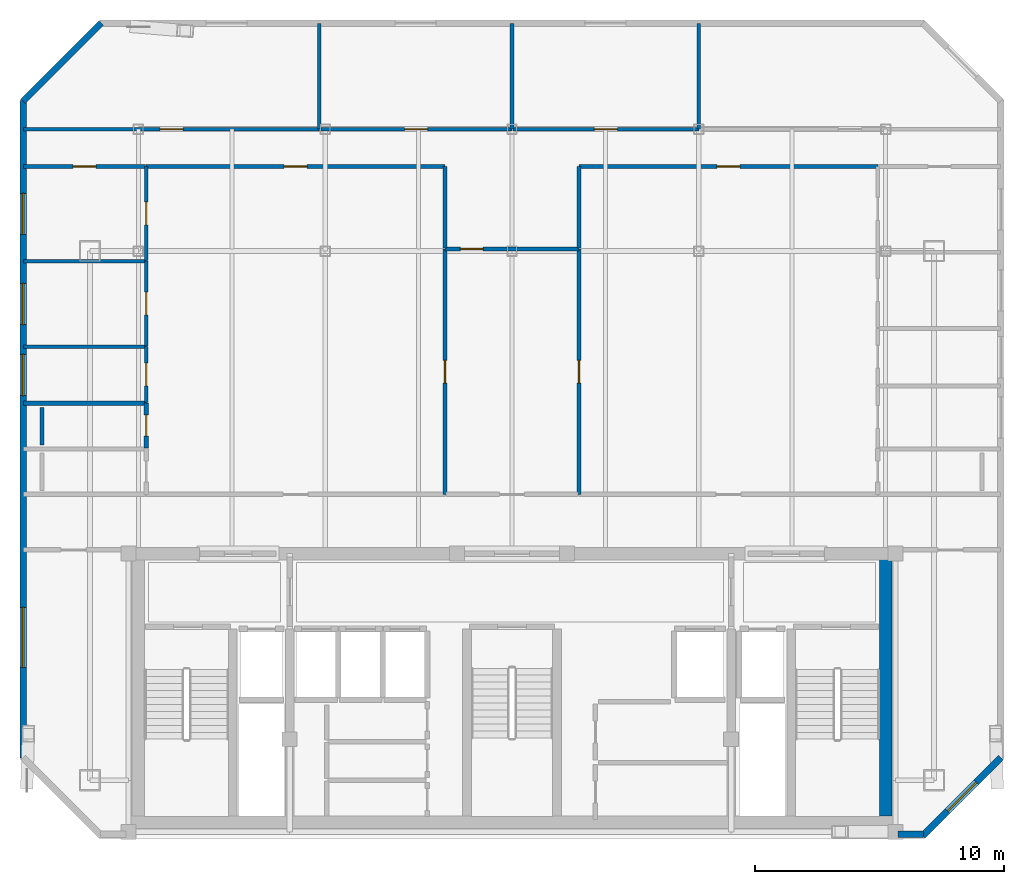
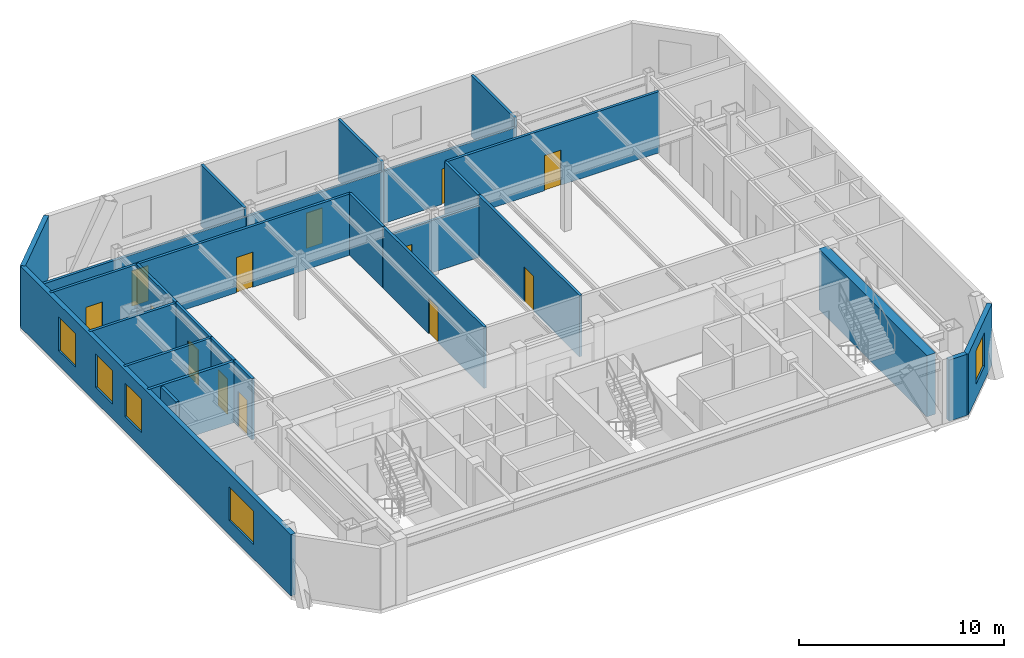
# One storey, part 4 of 7: 27 walls, 13 doors, 5 windows, 18 openings.
"""IFC4 building model written with IfcOpenShell, lengths in metres."""

import ifcopenshell
import ifcopenshell.guid

model = None  # the IFC model being written
_history = None  # IfcOwnerHistory: only IFC2X3 demands one
_inside = {}  # id of a spatial element -> (the spatial element, [elements in it])
_under = {}  # id of a project, library or spatial element -> (it, [spatial elements below it])
_declared = {}  # id of a project -> (the project, [libraries it declares])
_typed = {}  # id of a type object -> (the type object, [elements of that type])
_made_of = {}  # id of a material, layer set ... -> (it, [elements and type objects made of it])


def new_model(schema):
    """Start an empty IFC model of exactly this schema.

    Asked for "IFC4X3", IfcOpenShell would pick the latest addendum, in which some entities
    have other attributes; the version numbers below select the first issue.
    IFC2X3 requires an IfcOwnerHistory on every rooted entity: one is made here for all.
    """
    global model, _history
    if schema == "IFC4X3":
        model = ifcopenshell.file(schema_version=(4, 3, 0, 0))
    else:
        model = ifcopenshell.file(schema=schema)
    _inside.clear()
    _under.clear()
    _declared.clear()
    _typed.clear()
    _made_of.clear()
    _history = None
    if model.schema == "IFC2X3":
        org = make("IfcOrganization", Name="unknown")
        user = make(
            "IfcPersonAndOrganization",
            ThePerson=make("IfcPerson", FamilyName="unknown"),
            TheOrganization=org,
        )
        app = make(
            "IfcApplication",
            ApplicationDeveloper=org,
            Version="unknown",
            ApplicationFullName="unknown",
            ApplicationIdentifier="unknown",
        )
        _history = make(
            "IfcOwnerHistory",
            OwningUser=user,
            OwningApplication=app,
            ChangeAction="ADDED",
            CreationDate=0,
        )
    return model


def make(cls, **values):
    """One entity of the class cls with the attributes given. An attribute that is None is left unset."""
    return model.create_entity(
        cls, **{name: value for name, value in values.items() if value is not None}
    )


def rooted(cls, **values):
    """An entity with a GlobalId (a new one), such as an element, a storey or a relation."""
    return make(cls, GlobalId=ifcopenshell.guid.new(), OwnerHistory=_history, **values)


def si_unit(unit_type, name, prefix=None):
    """IfcSIUnit, for example si_unit("LENGTHUNIT", "METRE", prefix="MILLI")."""
    return make("IfcSIUnit", UnitType=unit_type, Prefix=prefix, Name=name)


def assignment(units):
    """IfcUnitAssignment: the units of a project."""
    return None if units is None else make("IfcUnitAssignment", Units=units)


def point(xyz):
    """IfcCartesianPoint."""
    return None if xyz is None else make("IfcCartesianPoint", Coordinates=xyz)


def direction(xyz):
    """IfcDirection."""
    return None if xyz is None else make("IfcDirection", DirectionRatios=xyz)


def frame(location, z_axis=None, x_axis=None):
    """IfcAxis2Placement3D, a coordinate frame: its origin and axes. An axis left out is left unset."""
    return make(
        "IfcAxis2Placement3D",
        Location=point(location),
        Axis=direction(z_axis),
        RefDirection=direction(x_axis),
    )


def frame_2d(location, x_axis=None):
    """IfcAxis2Placement2D, a coordinate frame in the plane: its origin and x axis."""
    return make(
        "IfcAxis2Placement2D", Location=point(location), RefDirection=direction(x_axis)
    )


def origin():
    """The frame at (0, 0, 0) with its axes left unset."""
    return frame((0.0, 0.0, 0.0))


def place(relative_to, where):
    """IfcLocalPlacement: puts the frame where relative to a parent placement (None: the world)."""
    return make(
        "IfcLocalPlacement", PlacementRelTo=relative_to, RelativePlacement=where
    )


def context(
    kind, dimensions, precision=None, world=None, true_north=None, identifier=None
):
    """IfcGeometricRepresentationContext, for example the 3D "Model" context."""
    return make(
        "IfcGeometricRepresentationContext",
        ContextIdentifier=identifier,
        ContextType=kind,
        CoordinateSpaceDimension=dimensions,
        Precision=precision,
        WorldCoordinateSystem=world,
        TrueNorth=true_north,
    )


def subcontext(parent, identifier, kind, view, scale=None):
    """IfcGeometricRepresentationSubContext, for example "Body" below "Model"."""
    return make(
        "IfcGeometricRepresentationSubContext",
        ContextIdentifier=identifier,
        ContextType=kind,
        ParentContext=parent,
        TargetScale=scale,
        TargetView=view,
    )


def project(units=None, contexts=None):
    """IfcProject with its units and contexts."""
    return rooted(
        "IfcProject",
        Name="project",
        RepresentationContexts=contexts,
        UnitsInContext=assignment(units),
    )


def spatial(cls, under=None, at=None, **own):
    """A site, building, storey or space (cls), placed at a placement, below another one or the project."""
    s = rooted(cls, ObjectPlacement=at, **own)
    if under is not None:
        _under.setdefault(under.id(), (under, []))[1].append(s)
    return s


def profile(cls, at=None, kind="AREA", **sizes):
    """A parametric profile (cls). Its sizes go by their IFC names, for example OverallWidth=200.0."""
    return make(cls, ProfileType=kind, Position=at, **sizes)


def rectangle(**sizes):
    """IfcRectangleProfileDef."""
    return profile("IfcRectangleProfileDef", **sizes)


def extrude(swept, where, along, depth):
    """IfcExtrudedAreaSolid: the profile swept, set in the frame where, extruded along a direction by depth."""
    return make(
        "IfcExtrudedAreaSolid",
        SweptArea=swept,
        Position=where,
        ExtrudedDirection=direction(along),
        Depth=depth,
    )


def shape(context_of_items, identifier, shape_type, items):
    """IfcShapeRepresentation: the items that make up one representation, for example the "Body"."""
    return make(
        "IfcShapeRepresentation",
        ContextOfItems=context_of_items,
        RepresentationIdentifier=identifier,
        RepresentationType=shape_type,
        Items=items,
    )


def material(Name=None, Category=None):
    """IfcMaterial."""
    return make("IfcMaterial", Name=Name, Category=Category)


def layer(
    of_material, thickness, ventilated=None, Name=None, Category=None, Priority=None
):
    """IfcMaterialLayer: one layer of a wall or slab, of a material (None: an air gap)."""
    return make(
        "IfcMaterialLayer",
        Material=of_material,
        LayerThickness=thickness,
        IsVentilated=ventilated,
        Name=Name,
        Category=Category,
        Priority=Priority,
    )


def layer_set(layers, Name=None):
    """IfcMaterialLayerSet."""
    return make("IfcMaterialLayerSet", MaterialLayers=layers, LayerSetName=Name)


def made_of(thing, what):
    """Note that an element or type object is made of a material, layer set ...; save() writes the relation."""
    if what is not None:
        _made_of.setdefault(what.id(), (what, []))[1].append(thing)
    return thing


def type_object(cls, material=None, **own):
    """A type object (cls), such as IfcWallType, which elements share."""
    return made_of(rooted(cls, **own), material)


def element(
    cls,
    number,
    at=None,
    inside=None,
    cuts=None,
    type_object=None,
    material=None,
    context=None,
    identifier="Body",
    shape_type=None,
    held_by="IfcProductDefinitionShape",
    body=None,
    shapes=None,
    **own,
):
    """One element of the class cls, such as IfcWall. Its Tag is "e" and its number.

    at: its placement. inside: the storey or other place that contains it. cuts: it is an
    opening in that element (IfcRelVoidsElement). A single representation is given by context,
    identifier, shape_type and body (its items); several are given by shapes. held_by: the class
    of the entity that holds the representations. save() writes the other relations.
    """
    e = rooted(cls, Tag="e%d" % number, ObjectPlacement=at, **own)
    if body is not None:
        shapes = [shape(context, identifier, shape_type, body)]
    if shapes is not None:
        e.Representation = make(held_by, Representations=shapes)
    if inside is not None:
        _inside.setdefault(inside.id(), (inside, []))[1].append(e)
    if cuts is not None:
        rooted(
            "IfcRelVoidsElement", RelatingBuildingElement=cuts, RelatedOpeningElement=e
        )
    if type_object is not None:
        _typed.setdefault(type_object.id(), (type_object, []))[1].append(e)
    return made_of(e, material)


def fill(opening, filler):
    """IfcRelFillsElement: the door or window that sits in an opening."""
    return rooted(
        "IfcRelFillsElement",
        RelatingOpeningElement=opening,
        RelatedBuildingElement=filler,
    )


def aggregate(whole, parts):
    """IfcRelAggregates: a whole, such as a stair, and the parts it consists of."""
    return rooted("IfcRelAggregates", RelatingObject=whole, RelatedObjects=parts)


def save(model, path):
    """Write the relations noted so far, then the file.

    IfcRelAggregates (storeys below a building ...), IfcRelContainedInSpatialStructure (elements
    in a storey), IfcRelDefinesByType, IfcRelAssociatesMaterial and IfcRelDeclares: one each for
    every whole, place, type object, material and project.
    """
    for whole, parts in _under.values():
        aggregate(whole, parts)
    for where, things in _inside.values():
        rooted(
            "IfcRelContainedInSpatialStructure",
            RelatedElements=things,
            RelatingStructure=where,
        )
    for kind, things in _typed.values():
        rooted("IfcRelDefinesByType", RelatedObjects=things, RelatingType=kind)
    for what, things in _made_of.values():
        rooted("IfcRelAssociatesMaterial", RelatedObjects=things, RelatingMaterial=what)
    for by, libraries in _declared.values():
        rooted("IfcRelDeclares", RelatingContext=by, RelatedDefinitions=libraries)
    model.write(path)


model = new_model("IFC4")

# Units and contexts
model_context = context("Model", 3, precision=1e-05, world=origin(), true_north=direction((0.0, 1.0)))
body_context = subcontext(model_context, "Body", "Model", "MODEL_VIEW")
ifc_project = project(units=[si_unit("LENGTHUNIT", "METRE"), si_unit("AREAUNIT", "SQUARE_METRE"), si_unit("VOLUMEUNIT", "CUBIC_METRE"), si_unit("PLANEANGLEUNIT", "RADIAN"), si_unit("MASSUNIT", "GRAM", prefix="KILO")], contexts=[model_context])

# Site, building, storey
site_placement = place(None, origin())
site = spatial("IfcSite", under=ifc_project, at=site_placement, CompositionType="ELEMENT")
building_placement = place(site_placement, origin())
building = spatial("IfcBuilding", under=site, at=building_placement, Name="Ventersveld Concourse Tower", CompositionType="ELEMENT")
storey_placement = place(building_placement, frame((0.0, 0.0, 316.89990234375)))
storey = spatial("IfcBuildingStorey", under=building, at=storey_placement, Name="L78", CompositionType="ELEMENT", Elevation=316.89990234375)

# Wall
ifc_material_1 = material(Name="Concrete C50/60", Category="concrete")
ifc_layer_1 = layer(ifc_material_1, 0.5)
ifc_layer_set_1 = layer_set([ifc_layer_1], Name="Concrete C50/60")
wall_type_1 = type_object("IfcWallType", Name="WL-CORE-500", PredefinedType="SHEAR", material=ifc_layer_set_1)
wall_1_placement = place(storey_placement, frame((43.75, 0.919921875, 0.0), z_axis=(0.0, 0.0, 1.0), x_axis=(0.0, 1.0, 0.0)))
element("IfcWall", 1, at=wall_1_placement, inside=storey, type_object=wall_type_1, Name="L78 Rear Core East Shear Wall", PredefinedType="SHEAR", context=body_context, shape_type="SweptSolid", body=[
    extrude(rectangle(XDim=10.530029296875, YDim=0.5, at=frame_2d((5.26513671875, 0.0))), origin(), (0.0, 0.0, 1.0), 3.650146484375),
])

# Wall, opening, door
ifc_material_2 = material(Name="Autoclaved aerated masonry blockwork", Category="masonry")
ifc_layer_2 = layer(ifc_material_2, 0.14990234375)
ifc_layer_set_2 = layer_set([ifc_layer_2], Name="Autoclaved aerated masonry blockwork")
wall_type_2 = type_object("IfcWallType", Name="WL-INT-150", PredefinedType="PARTITIONING", material=ifc_layer_set_2)
wall_2_placement = place(storey_placement, frame((26.06005859375, 13.824951171875, 0.0), z_axis=(0.0, 0.0, 1.0), x_axis=(0.0, 1.0, 0.0)))
wall_2 = element("IfcWall", 2, at=wall_2_placement, inside=storey, type_object=wall_type_2, Name="L78 Interior Partition SP-L78-78N1-WGAL1-SP-L78-78N1-FOY", PredefinedType="PARTITIONING", context=body_context, shape_type="SweptSolid", body=[
    extrude(rectangle(XDim=9.866943359375, YDim=0.14990234375, at=frame_2d((4.93359375, 0.0))), origin(), (0.0, 0.0, 1.0), 3.650146484375),
])
opening_1_placement = place(wall_2_placement, frame((4.473388671875, 0.0, 0.0)))
opening_1 = element("IfcOpeningElement", 3, at=opening_1_placement, cuts=wall_2, Name="Opening ID1", PredefinedType="OPENING", context=body_context, shape_type="SweptSolid", body=[
    extrude(rectangle(XDim=0.919921875, YDim=2.10009765625, at=frame_2d((0.4599609375, 1.050048828125))), frame((0.0, 0.0849609375, 0.0), z_axis=(0.0, -1.0, 0.0), x_axis=(1.0, 0.0, 0.0)), (0.0, 0.0, 1.0), 0.169921875),
])
ifc_material_3 = material(Name="Solid-core hardwood veneer timber", Category="wood")
door_type_1 = type_object("IfcDoorType", Name="DR-ROOM-092", OperationType="NOTDEFINED", PredefinedType="DOOR", material=ifc_material_3)
door_1_placement = place(opening_1_placement, origin())
door_1 = element("IfcDoor", 4, at=door_1_placement, inside=storey, type_object=door_type_1, Name="L78 Interior Door SP-L78-78N1-WGAL1 to SP-L78-78N1-FOY (D-L78-3571)", OperationType="SINGLE_SWING_LEFT", OverallHeight=2.10009765625, OverallWidth=0.919921875, PredefinedType="DOOR", context=body_context, shape_type="SweptSolid", body=[
    extrude(rectangle(XDim=0.919921875, YDim=2.10009765625, at=frame_2d((0.4599609375, 1.050048828125))), frame((0.0, 0.02490234375, 0.0), z_axis=(0.0, -1.0, 0.0), x_axis=(1.0, 0.0, 0.0)), (0.0, 0.0, 1.0), 0.050048828125),
])
fill(opening_1, door_1)

wall_3_placement = place(storey_placement, frame((14.05810546875, 27.0, 0.0), z_axis=(0.0, 0.0, 1.0), x_axis=(1.0, 0.0, 0.0)))
wall_3 = element("IfcWall", 5, at=wall_3_placement, inside=storey, type_object=wall_type_2, Name="L78 Interior Partition SP-L78-78N1-WGAL1-SP-L78-78N1-LIV", PredefinedType="PARTITIONING", context=body_context, shape_type="SweptSolid", body=[
    extrude(rectangle(XDim=12.0068359375, YDim=0.14990234375, at=frame_2d((6.00341796875, 0.0))), origin(), (0.0, 0.0, 1.0), 3.650146484375),
])
opening_2_placement = place(wall_3_placement, frame((5.54345703125, 0.0, 0.0)))
opening_2 = element("IfcOpeningElement", 6, at=opening_2_placement, cuts=wall_3, Name="Opening ID1", PredefinedType="OPENING", context=body_context, shape_type="SweptSolid", body=[
    extrude(rectangle(XDim=0.919921875, YDim=2.10009765625, at=frame_2d((0.4599609375, 1.050048828125))), frame((0.0, 0.0849609375, 0.0), z_axis=(0.0, -1.0, 0.0), x_axis=(1.0, 0.0, 0.0)), (0.0, 0.0, 1.0), 0.169921875),
])
door_2_placement = place(opening_2_placement, origin())
door_2 = element("IfcDoor", 7, at=door_2_placement, inside=storey, type_object=door_type_1, Name="L78 Interior Door SP-L78-78N1-WGAL1 to SP-L78-78N1-LIV (D-L78-3572)", OperationType="SINGLE_SWING_RIGHT", OverallHeight=2.10009765625, OverallWidth=0.919921875, PredefinedType="DOOR", context=body_context, shape_type="SweptSolid", body=[
    extrude(rectangle(XDim=0.919921875, YDim=2.10009765625, at=frame_2d((0.4599609375, 1.050048828125))), frame((0.0, 0.02490234375, 0.0), z_axis=(0.0, -1.0, 0.0), x_axis=(1.0, 0.0, 0.0)), (0.0, 0.0, 1.0), 0.050048828125),
])
fill(opening_2, door_2)

# Wall
wall_4_placement = place(storey_placement, frame((26.06005859375, 23.7216796875, 0.0), z_axis=(0.0, 0.0, 1.0), x_axis=(0.0, 1.0, 0.0)))
element("IfcWall", 8, at=wall_4_placement, inside=storey, type_object=wall_type_2, Name="L78 Interior Partition SP-L78-78N1-WGAL1-SP-L78-78N1-LIV", PredefinedType="PARTITIONING", context=body_context, shape_type="SweptSolid", body=[
    extrude(rectangle(XDim=3.283203125, YDim=0.14990234375, at=frame_2d((1.6416015625, 0.0))), origin(), (0.0, 0.0, 1.0), 3.650146484375),
])

# Wall, opening, door
wall_5_placement = place(storey_placement, frame((14.06298828125, 17.52490234375, 0.0), z_axis=(0.0, 0.0, 1.0), x_axis=(0.0, 1.0, 0.0)))
wall_5 = element("IfcWall", 9, at=wall_5_placement, inside=storey, type_object=wall_type_2, Name="L78 Interior Partition SP-L78-78N1-WGAL1-SP-L78-78N1-PANL0", PredefinedType="PARTITIONING", context=body_context, shape_type="SweptSolid", body=[
    extrude(rectangle(XDim=2.242919921875, YDim=0.14990234375, at=frame_2d((1.12158203125, 0.0))), origin(), (0.0, 0.0, 1.0), 3.650146484375),
])
opening_3_placement = place(wall_5_placement, frame((0.661376953125, 0.0, 0.0)))
opening_3 = element("IfcOpeningElement", 10, at=opening_3_placement, cuts=wall_5, Name="Opening ID1", PredefinedType="OPENING", context=body_context, shape_type="SweptSolid", body=[
    extrude(rectangle(XDim=0.919921875, YDim=2.10009765625, at=frame_2d((0.4599609375, 1.050048828125))), frame((0.0, 0.0849609375, 0.0), z_axis=(0.0, -1.0, 0.0), x_axis=(1.0, 0.0, 0.0)), (0.0, 0.0, 1.0), 0.169921875),
])
door_3_placement = place(opening_3_placement, origin())
door_3 = element("IfcDoor", 11, at=door_3_placement, inside=storey, type_object=door_type_1, Name="L78 Interior Door SP-L78-78N1-WGAL1 to SP-L78-78N1-PANL0 (D-L78-3575)", OperationType="SINGLE_SWING_LEFT", OverallHeight=2.10009765625, OverallWidth=0.919921875, PredefinedType="DOOR", context=body_context, shape_type="SweptSolid", body=[
    extrude(rectangle(XDim=0.919921875, YDim=2.10009765625, at=frame_2d((0.4599609375, 1.050048828125))), frame((0.0, 0.02490234375, 0.0), z_axis=(0.0, -1.0, 0.0), x_axis=(1.0, 0.0, 0.0)), (0.0, 0.0, 1.0), 0.050048828125),
])
fill(opening_3, door_3)

wall_6_placement = place(storey_placement, frame((14.06298828125, 19.7978515625, 0.0), z_axis=(0.0, 0.0, 1.0), x_axis=(0.0, 1.0, 0.0)))
wall_6 = element("IfcWall", 12, at=wall_6_placement, inside=storey, type_object=wall_type_2, Name="L78 Interior Partition SP-L78-78N1-WGAL1-SP-L78-78N1-MEDL2", PredefinedType="PARTITIONING", context=body_context, shape_type="SweptSolid", body=[
    extrude(rectangle(XDim=3.398193359375, YDim=0.14990234375, at=frame_2d((1.69921875, 0.0))), origin(), (0.0, 0.0, 1.0), 3.650146484375),
])
opening_4_placement = place(wall_6_placement, frame((1.239013671875, 0.0, 0.0)))
opening_4 = element("IfcOpeningElement", 13, at=opening_4_placement, cuts=wall_6, Name="Opening ID1", PredefinedType="OPENING", context=body_context, shape_type="SweptSolid", body=[
    extrude(rectangle(XDim=0.919921875, YDim=2.10009765625, at=frame_2d((0.4599609375, 1.050048828125))), frame((0.0, 0.0849609375, 0.0), z_axis=(0.0, -1.0, 0.0), x_axis=(1.0, 0.0, 0.0)), (0.0, 0.0, 1.0), 0.169921875),
])
door_4_placement = place(opening_4_placement, origin())
door_4 = element("IfcDoor", 14, at=door_4_placement, inside=storey, type_object=door_type_1, Name="L78 Interior Door SP-L78-78N1-WGAL1 to SP-L78-78N1-MEDL2 (D-L78-3576)", OperationType="SINGLE_SWING_RIGHT", OverallHeight=2.10009765625, OverallWidth=0.919921875, PredefinedType="DOOR", context=body_context, shape_type="SweptSolid", body=[
    extrude(rectangle(XDim=0.919921875, YDim=2.10009765625, at=frame_2d((0.4599609375, 1.050048828125))), frame((0.0, 0.02490234375, 0.0), z_axis=(0.0, -1.0, 0.0), x_axis=(1.0, 0.0, 0.0)), (0.0, 0.0, 1.0), 0.050048828125),
])
fill(opening_4, door_4)

wall_7_placement = place(storey_placement, frame((14.06298828125, 23.22607421875, 0.0), z_axis=(0.0, 0.0, 1.0), x_axis=(0.0, 1.0, 0.0)))
wall_7 = element("IfcWall", 15, at=wall_7_placement, inside=storey, type_object=wall_type_2, Name="L78 Interior Partition SP-L78-78N1-WGAL1-SP-L78-78N1-SEML4", PredefinedType="PARTITIONING", context=body_context, shape_type="SweptSolid", body=[
    extrude(rectangle(XDim=3.77880859375, YDim=0.14990234375, at=frame_2d((1.889404296875, 0.0))), origin(), (0.0, 0.0, 1.0), 3.650146484375),
])
opening_5_placement = place(wall_7_placement, frame((1.429443359375, 0.0, 0.0)))
opening_5 = element("IfcOpeningElement", 16, at=opening_5_placement, cuts=wall_7, Name="Opening ID1", PredefinedType="OPENING", context=body_context, shape_type="SweptSolid", body=[
    extrude(rectangle(XDim=0.919921875, YDim=2.10009765625, at=frame_2d((0.4599609375, 1.050048828125))), frame((0.0, 0.0849609375, 0.0), z_axis=(0.0, -1.0, 0.0), x_axis=(1.0, 0.0, 0.0)), (0.0, 0.0, 1.0), 0.169921875),
])
door_5_placement = place(opening_5_placement, origin())
door_5 = element("IfcDoor", 17, at=door_5_placement, inside=storey, type_object=door_type_1, Name="L78 Interior Door SP-L78-78N1-WGAL1 to SP-L78-78N1-SEML4 (D-L78-3577)", OperationType="SINGLE_SWING_LEFT", OverallHeight=2.10009765625, OverallWidth=0.919921875, PredefinedType="DOOR", context=body_context, shape_type="SweptSolid", body=[
    extrude(rectangle(XDim=0.919921875, YDim=2.10009765625, at=frame_2d((0.4599609375, 1.050048828125))), frame((0.0, 0.02490234375, 0.0), z_axis=(0.0, -1.0, 0.0), x_axis=(1.0, 0.0, 0.0)), (0.0, 0.0, 1.0), 0.050048828125),
])
fill(opening_5, door_5)

wall_8_placement = place(storey_placement, frame((31.43994140625, 13.824951171875, 0.0), z_axis=(0.0, 0.0, 1.0), x_axis=(0.0, 1.0, 0.0)))
wall_8 = element("IfcWall", 18, at=wall_8_placement, inside=storey, type_object=wall_type_2, Name="L78 Interior Partition SP-L78-78N1-EGAL1-SP-L78-78N1-FOY", PredefinedType="PARTITIONING", context=body_context, shape_type="SweptSolid", body=[
    extrude(rectangle(XDim=9.866943359375, YDim=0.14990234375, at=frame_2d((4.93359375, 0.0))), origin(), (0.0, 0.0, 1.0), 3.650146484375),
])
opening_6_placement = place(wall_8_placement, frame((4.473388671875, 0.0, 0.0)))
opening_6 = element("IfcOpeningElement", 19, at=opening_6_placement, cuts=wall_8, Name="Opening ID1", PredefinedType="OPENING", context=body_context, shape_type="SweptSolid", body=[
    extrude(rectangle(XDim=0.919921875, YDim=2.10009765625, at=frame_2d((0.4599609375, 1.050048828125))), frame((0.0, 0.0849609375, 0.0), z_axis=(0.0, -1.0, 0.0), x_axis=(1.0, 0.0, 0.0)), (0.0, 0.0, 1.0), 0.169921875),
])
door_6_placement = place(opening_6_placement, origin())
door_6 = element("IfcDoor", 20, at=door_6_placement, inside=storey, type_object=door_type_1, Name="L78 Interior Door SP-L78-78N1-EGAL1 to SP-L78-78N1-FOY (D-L78-3578)", OperationType="SINGLE_SWING_RIGHT", OverallHeight=2.10009765625, OverallWidth=0.919921875, PredefinedType="DOOR", context=body_context, shape_type="SweptSolid", body=[
    extrude(rectangle(XDim=0.919921875, YDim=2.10009765625, at=frame_2d((0.4599609375, 1.050048828125))), frame((0.0, 0.02490234375, 0.0), z_axis=(0.0, -1.0, 0.0), x_axis=(1.0, 0.0, 0.0)), (0.0, 0.0, 1.0), 0.050048828125),
])
fill(opening_6, door_6)

wall_9_placement = place(storey_placement, frame((31.43505859375, 27.0, 0.0), z_axis=(0.0, 0.0, 1.0), x_axis=(1.0, 0.0, 0.0)))
wall_9 = element("IfcWall", 21, at=wall_9_placement, inside=storey, type_object=wall_type_2, Name="L78 Interior Partition SP-L78-78N1-EGAL1-SP-L78-78N1-LIV", PredefinedType="PARTITIONING", context=body_context, shape_type="SweptSolid", body=[
    extrude(rectangle(XDim=12.0068359375, YDim=0.14990234375, at=frame_2d((6.00341796875, 0.0))), origin(), (0.0, 0.0, 1.0), 3.650146484375),
])
opening_7_placement = place(wall_9_placement, frame((5.54345703125, 0.0, 0.0)))
opening_7 = element("IfcOpeningElement", 22, at=opening_7_placement, cuts=wall_9, Name="Opening ID1", PredefinedType="OPENING", context=body_context, shape_type="SweptSolid", body=[
    extrude(rectangle(XDim=0.919921875, YDim=2.10009765625, at=frame_2d((0.4599609375, 1.050048828125))), frame((0.0, 0.0849609375, 0.0), z_axis=(0.0, -1.0, 0.0), x_axis=(1.0, 0.0, 0.0)), (0.0, 0.0, 1.0), 0.169921875),
])
door_7_placement = place(opening_7_placement, origin())
door_7 = element("IfcDoor", 23, at=door_7_placement, inside=storey, type_object=door_type_1, Name="L78 Interior Door SP-L78-78N1-EGAL1 to SP-L78-78N1-LIV (D-L78-3579)", OperationType="SINGLE_SWING_LEFT", OverallHeight=2.10009765625, OverallWidth=0.919921875, PredefinedType="DOOR", context=body_context, shape_type="SweptSolid", body=[
    extrude(rectangle(XDim=0.919921875, YDim=2.10009765625, at=frame_2d((0.4599609375, 1.050048828125))), frame((0.0, 0.02490234375, 0.0), z_axis=(0.0, -1.0, 0.0), x_axis=(1.0, 0.0, 0.0)), (0.0, 0.0, 1.0), 0.050048828125),
])
fill(opening_7, door_7)

# Wall
wall_10_placement = place(storey_placement, frame((31.43994140625, 23.7216796875, 0.0), z_axis=(0.0, 0.0, 1.0), x_axis=(0.0, 1.0, 0.0)))
element("IfcWall", 24, at=wall_10_placement, inside=storey, type_object=wall_type_2, Name="L78 Interior Partition SP-L78-78N1-EGAL1-SP-L78-78N1-LIV", PredefinedType="PARTITIONING", context=body_context, shape_type="SweptSolid", body=[
    extrude(rectangle(XDim=3.283203125, YDim=0.14990234375, at=frame_2d((1.6416015625, 0.0))), origin(), (0.0, 0.0, 1.0), 3.650146484375),
])

# Wall, opening, door
wall_11_placement = place(storey_placement, frame((26.054931640625, 23.686767578125, 0.0), z_axis=(0.0, 0.0, 1.0), x_axis=(1.0, 0.0, 0.0)))
wall_11 = element("IfcWall", 25, at=wall_11_placement, inside=storey, type_object=wall_type_2, Name="L78 Interior Partition SP-L78-78N1-FOY-SP-L78-78N1-LIV", PredefinedType="PARTITIONING", context=body_context, shape_type="SweptSolid", body=[
    extrude(rectangle(XDim=5.39013671875, YDim=0.14990234375, at=frame_2d((2.695068359375, 0.0))), origin(), (0.0, 0.0, 1.0), 3.116943359375),
])
opening_8_placement = place(wall_11_placement, frame((0.617919921875, 0.0, 0.0)))
opening_8 = element("IfcOpeningElement", 26, at=opening_8_placement, cuts=wall_11, Name="Opening ID1", PredefinedType="OPENING", context=body_context, shape_type="SweptSolid", body=[
    extrude(rectangle(XDim=0.919921875, YDim=2.10009765625, at=frame_2d((0.4599609375, 1.050048828125))), frame((0.0, 0.0849609375, 0.0), z_axis=(0.0, -1.0, 0.0), x_axis=(1.0, 0.0, 0.0)), (0.0, 0.0, 1.0), 0.169921875),
])
door_8_placement = place(opening_8_placement, origin())
door_8 = element("IfcDoor", 27, at=door_8_placement, inside=storey, type_object=door_type_1, Name="L78 Interior Door SP-L78-78N1-FOY to SP-L78-78N1-LIV (D-L78-3585)", OperationType="SINGLE_SWING_LEFT", OverallHeight=2.10009765625, OverallWidth=0.919921875, PredefinedType="DOOR", context=body_context, shape_type="SweptSolid", body=[
    extrude(rectangle(XDim=0.919921875, YDim=2.10009765625, at=frame_2d((0.4599609375, 1.050048828125))), frame((0.0, 0.02490234375, 0.0), z_axis=(0.0, -1.0, 0.0), x_axis=(1.0, 0.0, 0.0)), (0.0, 0.0, 1.0), 0.050048828125),
])
fill(opening_8, door_8)

wall_12_placement = place(storey_placement, frame((9.142578125, 27.0, 0.0), z_axis=(0.0, 0.0, 1.0), x_axis=(1.0, 0.0, 0.0)))
wall_12 = element("IfcWall", 28, at=wall_12_placement, inside=storey, type_object=wall_type_2, Name="L78 Interior Partition SP-L78-78N1-LIV-SP-L78-78N1-SEML4", PredefinedType="PARTITIONING", context=body_context, shape_type="SweptSolid", body=[
    extrude(rectangle(XDim=4.885498046875, YDim=0.14990234375, at=frame_2d((2.44287109375, 0.0))), origin(), (0.0, 0.0, 1.0), 3.650146484375),
])
opening_9_placement = place(wall_12_placement, frame((1.98291015625, 0.0, 0.0)))
opening_9 = element("IfcOpeningElement", 29, at=opening_9_placement, cuts=wall_12, Name="Opening ID1", PredefinedType="OPENING", context=body_context, shape_type="SweptSolid", body=[
    extrude(rectangle(XDim=0.919921875, YDim=2.10009765625, at=frame_2d((0.4599609375, 1.050048828125))), frame((0.0, 0.0849609375, 0.0), z_axis=(0.0, -1.0, 0.0), x_axis=(1.0, 0.0, 0.0)), (0.0, 0.0, 1.0), 0.169921875),
])
door_9_placement = place(opening_9_placement, origin())
door_9 = element("IfcDoor", 30, at=door_9_placement, inside=storey, type_object=door_type_1, Name="L78 Interior Door SP-L78-78N1-LIV to SP-L78-78N1-SEML4 (D-L78-3586)", OperationType="SINGLE_SWING_RIGHT", OverallHeight=2.10009765625, OverallWidth=0.919921875, PredefinedType="DOOR", context=body_context, shape_type="SweptSolid", body=[
    extrude(rectangle(XDim=0.919921875, YDim=2.10009765625, at=frame_2d((0.4599609375, 1.050048828125))), frame((0.0, 0.02490234375, 0.0), z_axis=(0.0, -1.0, 0.0), x_axis=(1.0, 0.0, 0.0)), (0.0, 0.0, 1.0), 0.050048828125),
])
fill(opening_9, door_9)

wall_13_placement = place(storey_placement, frame((9.142578125, 28.5, 0.0), z_axis=(0.0, 0.0, 1.0), x_axis=(1.0, 0.0, 0.0)))
wall_13 = element("IfcWall", 31, at=wall_13_placement, inside=storey, type_object=wall_type_2, Name="L78 Interior Partition SP-L78-78N1-LIV-SP-L78-78N1-BR1", PredefinedType="PARTITIONING", context=body_context, shape_type="SweptSolid", body=[
    extrude(rectangle(XDim=11.873291015625, YDim=0.14990234375, at=frame_2d((5.9365234375, 0.0))), origin(), (0.0, 0.0, 1.0), 3.116943359375),
])
opening_10_placement = place(wall_13_placement, frame((5.476806640625, 0.0, 0.0)))
opening_10 = element("IfcOpeningElement", 32, at=opening_10_placement, cuts=wall_13, Name="Opening ID1", PredefinedType="OPENING", context=body_context, shape_type="SweptSolid", body=[
    extrude(rectangle(XDim=0.919921875, YDim=2.10009765625, at=frame_2d((0.4599609375, 1.050048828125))), frame((0.0, 0.0849609375, 0.0), z_axis=(0.0, -1.0, 0.0), x_axis=(1.0, 0.0, 0.0)), (0.0, 0.0, 1.0), 0.169921875),
])
door_10_placement = place(opening_10_placement, origin())
door_10 = element("IfcDoor", 33, at=door_10_placement, inside=storey, type_object=door_type_1, Name="L78 Interior Door SP-L78-78N1-LIV to SP-L78-78N1-BR1 (D-L78-3588)", OperationType="SINGLE_SWING_RIGHT", OverallHeight=2.10009765625, OverallWidth=0.919921875, PredefinedType="DOOR", context=body_context, shape_type="SweptSolid", body=[
    extrude(rectangle(XDim=0.919921875, YDim=2.10009765625, at=frame_2d((0.4599609375, 1.050048828125))), frame((0.0, 0.02490234375, 0.0), z_axis=(0.0, -1.0, 0.0), x_axis=(1.0, 0.0, 0.0)), (0.0, 0.0, 1.0), 0.050048828125),
])
fill(opening_10, door_10)

wall_14_placement = place(storey_placement, frame((21.0458984375, 28.5, 0.0), z_axis=(0.0, 0.0, 1.0), x_axis=(1.0, 0.0, 0.0)))
wall_14 = element("IfcWall", 34, at=wall_14_placement, inside=storey, type_object=wall_type_2, Name="L78 Interior Partition SP-L78-78N1-LIV-SP-L78-78N1-BR2", PredefinedType="PARTITIONING", context=body_context, shape_type="SweptSolid", body=[
    extrude(rectangle(XDim=7.708984375, YDim=0.14990234375, at=frame_2d((3.8544921875, 0.0))), origin(), (0.0, 0.0, 1.0), 3.116943359375),
])
opening_11_placement = place(wall_14_placement, frame((3.39453125, 0.0, 0.0)))
opening_11 = element("IfcOpeningElement", 35, at=opening_11_placement, cuts=wall_14, Name="Opening ID1", PredefinedType="OPENING", context=body_context, shape_type="SweptSolid", body=[
    extrude(rectangle(XDim=0.919921875, YDim=2.10009765625, at=frame_2d((0.4599609375, 1.050048828125))), frame((0.0, 0.0849609375, 0.0), z_axis=(0.0, -1.0, 0.0), x_axis=(1.0, 0.0, 0.0)), (0.0, 0.0, 1.0), 0.169921875),
])
door_11_placement = place(opening_11_placement, origin())
door_11 = element("IfcDoor", 36, at=door_11_placement, inside=storey, type_object=door_type_1, Name="L78 Interior Door SP-L78-78N1-LIV to SP-L78-78N1-BR2 (D-L78-3589)", OperationType="SINGLE_SWING_LEFT", OverallHeight=2.10009765625, OverallWidth=0.919921875, PredefinedType="DOOR", context=body_context, shape_type="SweptSolid", body=[
    extrude(rectangle(XDim=0.919921875, YDim=2.10009765625, at=frame_2d((0.4599609375, 1.050048828125))), frame((0.0, 0.02490234375, 0.0), z_axis=(0.0, -1.0, 0.0), x_axis=(1.0, 0.0, 0.0)), (0.0, 0.0, 1.0), 0.050048828125),
])
fill(opening_11, door_11)

wall_15_placement = place(storey_placement, frame((28.784912109375, 28.5, 0.0), z_axis=(0.0, 0.0, 1.0), x_axis=(1.0, 0.0, 0.0)))
wall_15 = element("IfcWall", 37, at=wall_15_placement, inside=storey, type_object=wall_type_2, Name="L78 Interior Partition SP-L78-78N1-LIV-SP-L78-78N1-BR3", PredefinedType="PARTITIONING", context=body_context, shape_type="SweptSolid", body=[
    extrude(rectangle(XDim=7.469970703125, YDim=0.14990234375, at=frame_2d((3.73486328125, 0.0))), origin(), (0.0, 0.0, 1.0), 3.116943359375),
])
opening_12_placement = place(wall_15_placement, frame((3.27490234375, 0.0, 0.0)))
opening_12 = element("IfcOpeningElement", 38, at=opening_12_placement, cuts=wall_15, Name="Opening ID1", PredefinedType="OPENING", context=body_context, shape_type="SweptSolid", body=[
    extrude(rectangle(XDim=0.919921875, YDim=2.10009765625, at=frame_2d((0.4599609375, 1.050048828125))), frame((0.0, 0.0849609375, 0.0), z_axis=(0.0, -1.0, 0.0), x_axis=(1.0, 0.0, 0.0)), (0.0, 0.0, 1.0), 0.169921875),
])
door_12_placement = place(opening_12_placement, origin())
door_12 = element("IfcDoor", 39, at=door_12_placement, inside=storey, type_object=door_type_1, Name="L78 Interior Door SP-L78-78N1-LIV to SP-L78-78N1-BR3 (D-L78-3590)", OperationType="SINGLE_SWING_RIGHT", OverallHeight=2.10009765625, OverallWidth=0.919921875, PredefinedType="DOOR", context=body_context, shape_type="SweptSolid", body=[
    extrude(rectangle(XDim=0.919921875, YDim=2.10009765625, at=frame_2d((0.4599609375, 1.050048828125))), frame((0.0, 0.02490234375, 0.0), z_axis=(0.0, -1.0, 0.0), x_axis=(1.0, 0.0, 0.0)), (0.0, 0.0, 1.0), 0.050048828125),
])
fill(opening_12, door_12)

# Walls
for number, where, z_axis, x_axis, name in (
    (40, (9.142578125, 19.762939453125, 0.0), (0.0, 0.0, 1.0), (1.0, 0.0, 0.0), "L78 Interior Partition SP-L78-78N1-PANL0-SP-L78-78N1-MEDL2"),
    (41, (9.142578125, 23.191162109375, 0.0), (0.0, 0.0, 1.0), (1.0, 0.0, 0.0), "L78 Interior Partition SP-L78-78N1-MEDL2-SP-L78-78N1-SEML4"),
):
    element("IfcWall", number, at=place(storey_placement, frame(where, z_axis=z_axis, x_axis=x_axis)), inside=storey, type_object=wall_type_2, Name=name, PredefinedType="PARTITIONING", context=body_context, shape_type="SweptSolid", body=[
        extrude(rectangle(XDim=4.925537109375, YDim=0.14990234375, at=frame_2d((2.462890625, 0.0))), origin(), (0.0, 0.0, 1.0), 3.650146484375),
    ])
for number, where, z_axis, x_axis, name in (
    (42, (21.010986328125, 28.4951171875, 0.0), (0.0, 0.0, 1.0), (0.0, 1.0, 0.0), "L78 Interior Partition SP-L78-78N1-BR1-SP-L78-78N1-BR2"),
    (43, (28.75, 28.4951171875, 0.0), (0.0, 0.0, 1.0), (0.0, 1.0, 0.0), "L78 Interior Partition SP-L78-78N1-BR2-SP-L78-78N1-BR3"),
    (44, (36.25, 28.4951171875, 0.0), (0.0, 0.0, 1.0), (0.0, 1.0, 0.0), "L78 Interior Partition SP-L78-78N1-BR3-SP-L78-78N1-BR4"),
):
    element("IfcWall", number, at=place(storey_placement, frame(where, z_axis=z_axis, x_axis=x_axis)), inside=storey, type_object=wall_type_2, Name=name, PredefinedType="PARTITIONING", context=body_context, shape_type="SweptSolid", body=[
        extrude(rectangle(XDim=4.2373046875, YDim=0.14990234375, at=frame_2d((2.11865234375, 0.0))), origin(), (0.0, 0.0, 1.0), 3.650146484375),
    ])
ifc_material_4 = material(Name="Precast concrete C45/55", Category="concrete")
ifc_layer_3 = layer(ifc_material_4, 0.260009765625)
ifc_layer_set_3 = layer_set([ifc_layer_3], Name="Precast concrete C45/55")
wall_type_3 = type_object("IfcWallType", Name="WL-PREC-260", PredefinedType="SOLIDWALL", material=ifc_layer_set_3)
wall_16_placement = place(storey_placement, frame((44.25, 0.179931640625, 0.0), z_axis=(0.0, 0.0, 1.0), x_axis=(1.0, 0.0, 0.0)))
element("IfcWall", 45, at=wall_16_placement, inside=storey, type_object=wall_type_3, Name="L78 South-East Flank Precast Wall", PredefinedType="SOLIDWALL", context=body_context, shape_type="SweptSolid", body=[
    extrude(rectangle(XDim=1.01708984375, YDim=0.260009765625, at=frame_2d((0.508544921875, 0.0))), origin(), (0.0, 0.0, 1.0), 3.650146484375),
])

# Wall, opening, window
wall_17_placement = place(storey_placement, frame((45.243408203125, 0.1201171875, 0.0), z_axis=(0.0, 0.0, 1.0), x_axis=(0.707079321262, 0.707134240044, 0.0)))
wall_17 = element("IfcWall", 46, at=wall_17_placement, inside=storey, type_object=wall_type_3, Name="L78 Highveld Precast Facade Wall E02", PredefinedType="SOLIDWALL", context=body_context, shape_type="SweptSolid", body=[
    extrude(rectangle(XDim=4.445556640625, YDim=0.260009765625, at=frame_2d((2.22265625, 0.0))), origin(), (0.0, 0.0, 1.0), 3.650146484375),
])
opening_13_placement = place(wall_17_placement, frame((1.397705078125, 0.0, 0.8798828125)))
opening_13 = element("IfcOpeningElement", 47, at=opening_13_placement, cuts=wall_17, Name="Opening W6", PredefinedType="OPENING", context=body_context, shape_type="SweptSolid", body=[
    extrude(rectangle(XDim=1.64990234375, YDim=2.0, at=frame_2d((0.824951171875, 1.0))), frame((0.0, 0.14013671875, 0.0), z_axis=(0.0, -1.0, 0.0), x_axis=(1.0, 0.0, 0.0)), (0.0, 0.0, 1.0), 0.280029296875),
])
ifc_material_5 = material(Name="Tempered acoustic Low-E IGU", Category="glass")
window_type_1 = type_object("IfcWindowType", Name="WIN-165x200", PartitioningType="SINGLE_PANEL", PredefinedType="WINDOW", material=ifc_material_5)
window_1_placement = place(opening_13_placement, origin())
window_1 = element("IfcWindow", 48, at=window_1_placement, inside=storey, type_object=window_type_1, Name="L78 Punched Low-E Window W-1103", OverallHeight=2.0, OverallWidth=1.64990234375, PartitioningType="SINGLE_PANEL", PredefinedType="WINDOW", context=body_context, shape_type="SweptSolid", body=[
    extrude(rectangle(XDim=1.64990234375, YDim=2.0, at=frame_2d((0.824951171875, 1.0))), frame((0.0, 0.030029296875, 0.0), z_axis=(0.0, -1.0, 0.0), x_axis=(1.0, 0.0, 0.0)), (0.0, 0.0, 1.0), 0.06005859375),
])
fill(opening_13, window_1)

# Wall
wall_18_placement = place(storey_placement, frame((12.256591796875, 32.76171875, 0.0), z_axis=(0.0, 0.0, 1.0), x_axis=(-0.707106781187, -0.707106781187, 0.0)))
element("IfcWall", 49, at=wall_18_placement, inside=storey, type_object=wall_type_3, Name="L78 Highveld Precast Facade Wall E06", PredefinedType="SOLIDWALL", context=body_context, shape_type="SweptSolid", body=[
    extrude(rectangle(XDim=4.4453125, YDim=0.260009765625, at=frame_2d((2.22265625, 0.0))), origin(), (0.0, 0.0, 1.0), 3.650146484375),
])

# Wall, openings, windows
wall_19_placement = place(storey_placement, frame((9.123046875, 29.641845703125, 0.0), z_axis=(0.0, 0.0, 1.0), x_axis=(0.0, -1.0, 0.0)))
wall_19 = element("IfcWall", 50, at=wall_19_placement, inside=storey, type_object=wall_type_3, Name="L78 Highveld Precast Facade Wall E07", PredefinedType="SOLIDWALL", context=body_context, shape_type="SweptSolid", body=[
    extrude(rectangle(XDim=26.40185546875, YDim=0.260009765625, at=frame_2d((13.200927734375, 0.0))), origin(), (0.0, 0.0, 1.0), 3.650146484375),
])
opening_14_placement = place(wall_19_placement, frame((20.351806640625, 0.0, 0.85009765625)))
opening_14 = element("IfcOpeningElement", 51, at=opening_14_placement, cuts=wall_19, Name="Opening W5", PredefinedType="OPENING", context=body_context, shape_type="SweptSolid", body=[
    extrude(rectangle(XDim=2.39990234375, YDim=2.0, at=frame_2d((1.199951171875, 1.0))), frame((0.0, 0.14013671875, 0.0), z_axis=(0.0, -1.0, 0.0), x_axis=(1.0, 0.0, 0.0)), (0.0, 0.0, 1.0), 0.280029296875),
])
opening_15_placement = place(wall_19_placement, frame((10.1904296875, 0.0, 0.8798828125)))
opening_15 = element("IfcOpeningElement", 52, at=opening_15_placement, cuts=wall_19, Name="Opening W6", PredefinedType="OPENING", context=body_context, shape_type="SweptSolid", body=[
    extrude(rectangle(XDim=1.64990234375, YDim=2.0, at=frame_2d((0.824951171875, 1.0))), frame((0.0, 0.14013671875, 0.0), z_axis=(0.0, -1.0, 0.0), x_axis=(1.0, 0.0, 0.0)), (0.0, 0.0, 1.0), 0.280029296875),
])
opening_16_placement = place(wall_19_placement, frame((7.33984375, 0.0, 0.8798828125)))
opening_16 = element("IfcOpeningElement", 53, at=opening_16_placement, cuts=wall_19, Name="Opening W6", PredefinedType="OPENING", context=body_context, shape_type="SweptSolid", body=[
    extrude(rectangle(XDim=1.64990234375, YDim=2.0, at=frame_2d((0.824951171875, 1.0))), frame((0.0, 0.14013671875, 0.0), z_axis=(0.0, -1.0, 0.0), x_axis=(1.0, 0.0, 0.0)), (0.0, 0.0, 1.0), 0.280029296875),
])
opening_17_placement = place(wall_19_placement, frame((3.72119140625, 0.0, 0.8798828125)))
opening_17 = element("IfcOpeningElement", 54, at=opening_17_placement, cuts=wall_19, Name="Opening W6", PredefinedType="OPENING", context=body_context, shape_type="SweptSolid", body=[
    extrude(rectangle(XDim=1.64990234375, YDim=2.0, at=frame_2d((0.824951171875, 1.0))), frame((0.0, 0.14013671875, 0.0), z_axis=(0.0, -1.0, 0.0), x_axis=(1.0, 0.0, 0.0)), (0.0, 0.0, 1.0), 0.280029296875),
])
window_2_placement = place(opening_15_placement, origin())
window_2 = element("IfcWindow", 55, at=window_2_placement, inside=storey, type_object=window_type_1, Name="L78 Punched Low-E Window W-1104", OverallHeight=2.0, OverallWidth=1.64990234375, PartitioningType="SINGLE_PANEL", PredefinedType="WINDOW", context=body_context, shape_type="SweptSolid", body=[
    extrude(rectangle(XDim=1.64990234375, YDim=2.0, at=frame_2d((0.824951171875, 1.0))), frame((0.0, 0.030029296875, 0.0), z_axis=(0.0, -1.0, 0.0), x_axis=(1.0, 0.0, 0.0)), (0.0, 0.0, 1.0), 0.06005859375),
])
fill(opening_15, window_2)
window_3_placement = place(opening_16_placement, origin())
window_3 = element("IfcWindow", 56, at=window_3_placement, inside=storey, type_object=window_type_1, Name="L78 Punched Low-E Window W-1105", OverallHeight=2.0, OverallWidth=1.64990234375, PartitioningType="SINGLE_PANEL", PredefinedType="WINDOW", context=body_context, shape_type="SweptSolid", body=[
    extrude(rectangle(XDim=1.64990234375, YDim=2.0, at=frame_2d((0.824951171875, 1.0))), frame((0.0, 0.030029296875, 0.0), z_axis=(0.0, -1.0, 0.0), x_axis=(1.0, 0.0, 0.0)), (0.0, 0.0, 1.0), 0.06005859375),
])
fill(opening_16, window_3)
window_4_placement = place(opening_17_placement, origin())
window_4 = element("IfcWindow", 57, at=window_4_placement, inside=storey, type_object=window_type_1, Name="L78 Punched Low-E Window W-1106", OverallHeight=2.0, OverallWidth=1.64990234375, PartitioningType="SINGLE_PANEL", PredefinedType="WINDOW", context=body_context, shape_type="SweptSolid", body=[
    extrude(rectangle(XDim=1.64990234375, YDim=2.0, at=frame_2d((0.824951171875, 1.0))), frame((0.0, 0.030029296875, 0.0), z_axis=(0.0, -1.0, 0.0), x_axis=(1.0, 0.0, 0.0)), (0.0, 0.0, 1.0), 0.06005859375),
])
fill(opening_17, window_4)
window_type_2 = type_object("IfcWindowType", Name="WIN-240x210", PartitioningType="SINGLE_PANEL", PredefinedType="WINDOW", material=ifc_material_5)
window_5_placement = place(opening_14_placement, origin())
window_5 = element("IfcWindow", 58, at=window_5_placement, inside=storey, type_object=window_type_2, Name="L78 Punched Low-E Window W-1102", OverallHeight=2.0, OverallWidth=2.39990234375, PartitioningType="SINGLE_PANEL", PredefinedType="WINDOW", context=body_context, shape_type="SweptSolid", body=[
    extrude(rectangle(XDim=2.39990234375, YDim=2.0, at=frame_2d((1.199951171875, 1.0))), frame((0.0, 0.030029296875, 0.0), z_axis=(0.0, -1.0, 0.0), x_axis=(1.0, 0.0, 0.0)), (0.0, 0.0, 1.0), 0.06005859375),
])
fill(opening_14, window_5)

# Wall, opening, door
ifc_layer_4 = layer(ifc_material_2, 0.1650390625)
ifc_layer_set_4 = layer_set([ifc_layer_4], Name="Autoclaved aerated masonry blockwork")
wall_type_4 = type_object("IfcWallType", Name="WL-WET-165", PredefinedType="PLUMBINGWALL", material=ifc_layer_set_4)
wall_20_placement = place(storey_placement, frame((14.06298828125, 15.695068359375, 0.0), z_axis=(0.0, 0.0, 1.0), x_axis=(0.0, 1.0, 0.0)))
wall_20 = element("IfcWall", 59, at=wall_20_placement, inside=storey, type_object=wall_type_4, Name="L78 Interior Partition SP-L78-78N1-WGAL1-SP-L78-78N1-PWDL6", PredefinedType="PLUMBINGWALL", context=body_context, shape_type="SweptSolid", body=[
    extrude(rectangle(XDim=1.800048828125, YDim=0.1650390625, at=frame_2d((0.89990234375, 0.0))), origin(), (0.0, 0.0, 1.0), 3.650146484375),
])
opening_18_placement = place(wall_20_placement, frame((0.47509765625, 0.0, 0.0)))
opening_18 = element("IfcOpeningElement", 60, at=opening_18_placement, cuts=wall_20, Name="Opening ID2", PredefinedType="OPENING", context=body_context, shape_type="SweptSolid", body=[
    extrude(rectangle(XDim=0.85009765625, YDim=2.10009765625, at=frame_2d((0.425048828125, 1.050048828125))), frame((0.0, 0.092529296875, 0.0), z_axis=(0.0, -1.0, 0.0), x_axis=(1.0, 0.0, 0.0)), (0.0, 0.0, 1.0), 0.18505859375),
])
door_type_2 = type_object("IfcDoorType", Name="DR-BATH-085", OperationType="NOTDEFINED", PredefinedType="DOOR", material=ifc_material_3)
door_13_placement = place(opening_18_placement, origin())
door_13 = element("IfcDoor", 61, at=door_13_placement, inside=storey, type_object=door_type_2, Name="L78 Interior Door SP-L78-78N1-WGAL1 to SP-L78-78N1-PWDL6 (D-L78-3574)", OperationType="SINGLE_SWING_RIGHT", OverallHeight=2.10009765625, OverallWidth=0.85009765625, PredefinedType="DOOR", context=body_context, shape_type="SweptSolid", body=[
    extrude(rectangle(XDim=0.85009765625, YDim=2.10009765625, at=frame_2d((0.425048828125, 1.050048828125))), frame((0.0, 0.02490234375, 0.0), z_axis=(0.0, -1.0, 0.0), x_axis=(1.0, 0.0, 0.0)), (0.0, 0.0, 1.0), 0.050048828125),
])
fill(opening_18, door_13)

# Walls
wall_21_placement = place(storey_placement, frame((9.142578125, 17.489990234375, 0.0), z_axis=(0.0, 0.0, 1.0), x_axis=(1.0, 0.0, 0.0)))
element("IfcWall", 62, at=wall_21_placement, inside=storey, type_object=wall_type_4, Name="L78 Interior Partition SP-L78-78N1-PWDL6-SP-L78-78N1-PANL0", PredefinedType="PLUMBINGWALL", context=body_context, shape_type="SweptSolid", body=[
    extrude(rectangle(XDim=4.925537109375, YDim=0.1650390625, at=frame_2d((2.462890625, 0.0))), origin(), (0.0, 0.0, 1.0), 3.650146484375),
])
wall_22_placement = place(storey_placement, frame((9.873046875, 15.824951171875, 0.0), z_axis=(0.0, 0.0, 1.0), x_axis=(0.0, 1.0, 0.0)))
element("IfcWall", 63, at=wall_22_placement, inside=storey, type_object=wall_type_4, Name="L78 Room Enclosure Wall SP-L78-78N1-PWDL6", PredefinedType="PLUMBINGWALL", context=body_context, shape_type="SweptSolid", body=[
    extrude(rectangle(XDim=1.5, YDim=0.1650390625, at=frame_2d((0.75, 0.0))), origin(), (0.0, 0.0, 1.0), 3.650146484375),
])

save(model, "model.ifc")
